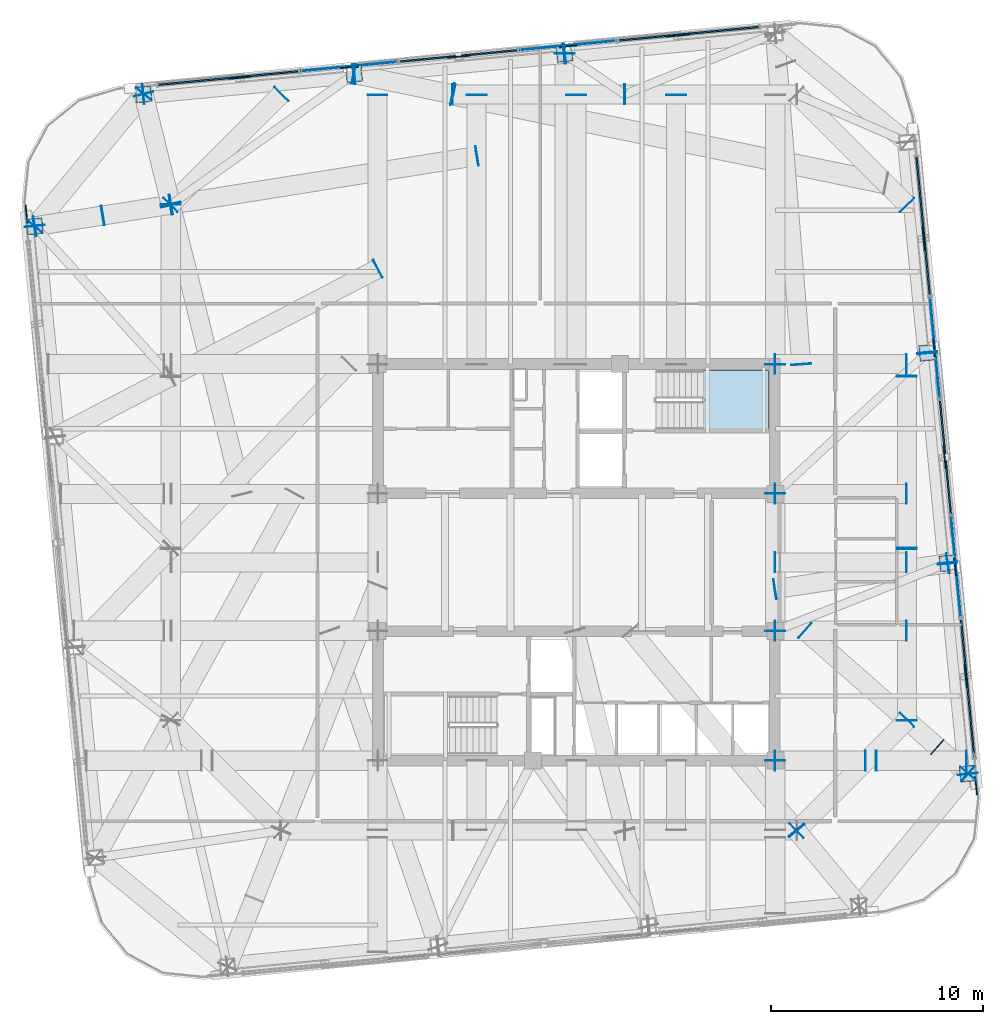
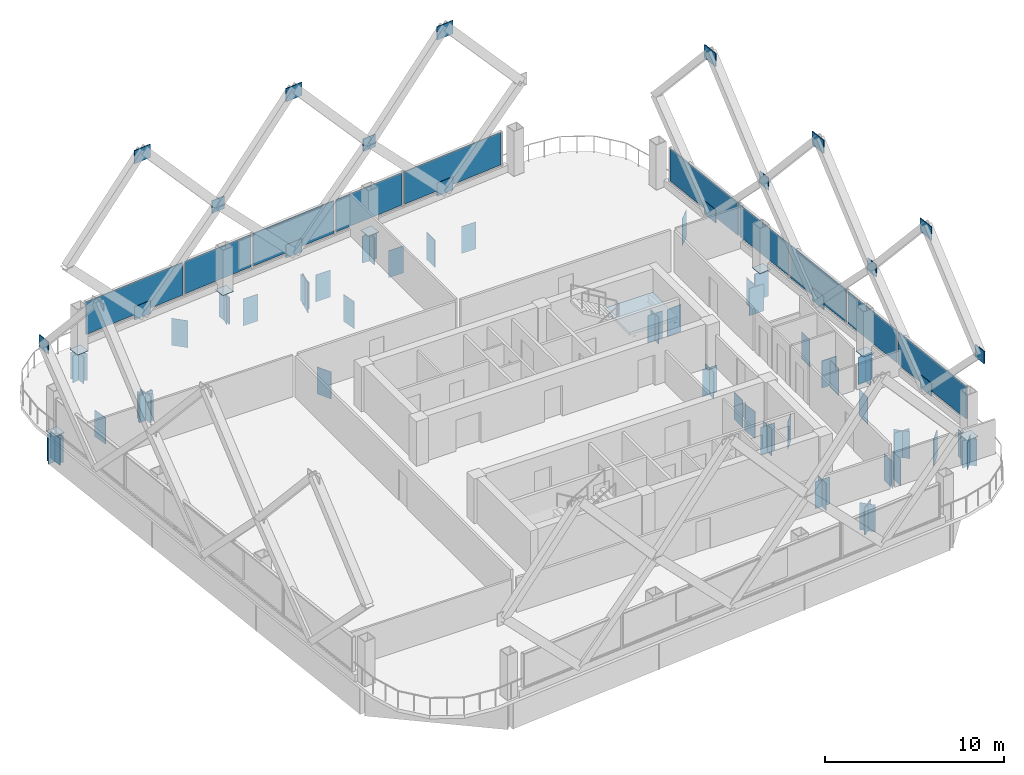
# One storey, part 31 of 37: 105 plates, 1 slab, 11 elements without a shape of their own.
"""IFC4 building model written with IfcOpenShell, lengths in metres."""

from ifc_helpers import new_model, si_unit, direction, frame, origin, origin_2d, place, context, subcontext, project, spatial, polyline, rectangle, outline, extrude, material, layer, layer_set, type_object, element, aggregate, save


model = new_model("IFC4")

# Units and contexts
model_context = context("Model", 3, precision=1e-05, world=origin(), true_north=direction((0.0, 1.0)))
body_context = subcontext(model_context, "Body", "Model", "MODEL_VIEW")
ifc_project = project(units=[si_unit("LENGTHUNIT", "METRE"), si_unit("AREAUNIT", "SQUARE_METRE"), si_unit("VOLUMEUNIT", "CUBIC_METRE"), si_unit("PLANEANGLEUNIT", "RADIAN"), si_unit("MASSUNIT", "GRAM", prefix="KILO")], contexts=[model_context])

# Site, building, storey
site_placement = place(None, origin())
site = spatial("IfcSite", under=ifc_project, at=site_placement, CompositionType="ELEMENT")
building_placement = place(site_placement, origin())
building = spatial("IfcBuilding", under=site, at=building_placement, Name="Qhalaya Broadcast Tower", CompositionType="ELEMENT")
storey_placement = place(building_placement, frame((0.0, 0.0, 156.14990234375)))
storey = spatial("IfcBuildingStorey", under=building, at=storey_placement, Name="L45", CompositionType="ELEMENT", Elevation=156.14990234375)

# Plates
ifc_material_1 = material(Name="Structural Steel ASTM A572 Grade 50", Category="steel")
ifc_layer_1 = layer(ifc_material_1, 0.054931640625, Name="Structural Steel ASTM A572 Grade 50")
ifc_layer_set_1 = layer_set([ifc_layer_1], Name="Structural Steel ASTM A572 Grade 50")
plate_type_1 = type_object("IfcPlateType", Name="Exoskeleton Diamond Node Gusset Plate NP-01", PredefinedType="USERDEFINED", material=ifc_layer_set_1)
for number, where, z_axis, x_axis, name in (
    (1, (18.346923828125, -4.76708984375, 0.210205078125), (0.0, 0.0, 1.0), (-0.09584575252, 0.995396198367, 0.0), "Exoskeleton Diamond Node B4-E1-BOT"),
    (2, (18.346923828125, -4.76708984375, 10.85009765625), (0.0, 0.0, 1.0), (-0.09584575252, 0.995396198367, 0.0), "Exoskeleton Diamond Node B4-E1-TOP"),
):
    element("IfcPlate", number, at=place(storey_placement, frame(where, z_axis=z_axis, x_axis=x_axis)), inside=storey, type_object=plate_type_1, Name=name, ObjectType="GUSSET_PLATE", PredefinedType="USERDEFINED", context=body_context, shape_type="SweptSolid", body=[
        extrude(rectangle(XDim=1.10009765625, YDim=0.054931640625, at=origin_2d()), origin(), (0.0, 0.0, 1.0), 0.89990234375),
    ])
plate_1_placement = place(storey_placement, frame((18.84375, -9.926513671875, 5.31494140625), z_axis=(0.0, 0.0, 1.0), x_axis=(-0.09584575252, 0.995396198367, 0.0)))
element("IfcPlate", 3, at=plate_1_placement, inside=storey, type_object=plate_type_1, Name="Exoskeleton Diamond Node B4-E1-MDL", ObjectType="GUSSET_PLATE", PredefinedType="USERDEFINED", context=body_context, shape_type="SweptSolid", body=[
    extrude(rectangle(XDim=0.85009765625, YDim=0.054931640625, at=origin_2d()), origin(), (0.0, 0.0, 1.0), 0.85009765625),
])
for number, where, z_axis, x_axis, name in (
    (4, (17.353515625, 5.5517578125, 0.210205078125), (0.0, 0.0, 1.0), (-0.09584575252, 0.995396198367, 0.0), "Exoskeleton Diamond Node B4-E2-BOT"),
    (5, (17.353515625, 5.5517578125, 10.85009765625), (0.0, 0.0, 1.0), (-0.09584575252, 0.995396198367, 0.0), "Exoskeleton Diamond Node B4-E2-TOP"),
):
    element("IfcPlate", number, at=place(storey_placement, frame(where, z_axis=z_axis, x_axis=x_axis)), inside=storey, type_object=plate_type_1, Name=name, ObjectType="GUSSET_PLATE", PredefinedType="USERDEFINED", context=body_context, shape_type="SweptSolid", body=[
        extrude(rectangle(XDim=1.10009765625, YDim=0.054931640625, at=origin_2d()), origin(), (0.0, 0.0, 1.0), 0.89990234375),
    ])
plate_2_placement = place(storey_placement, frame((17.85009765625, 0.392333984375, 5.31494140625), z_axis=(0.0, 0.0, 1.0), x_axis=(-0.09584575252, 0.995396198367, 0.0)))
element("IfcPlate", 6, at=plate_2_placement, inside=storey, type_object=plate_type_1, Name="Exoskeleton Diamond Node B4-E2-MDL", ObjectType="GUSSET_PLATE", PredefinedType="USERDEFINED", context=body_context, shape_type="SweptSolid", body=[
    extrude(rectangle(XDim=0.85009765625, YDim=0.054931640625, at=origin_2d()), origin(), (0.0, 0.0, 1.0), 0.85009765625),
])
for number, where, z_axis, x_axis, name in (
    (7, (16.35986328125, 15.87060546875, 0.210205078125), (0.0, 0.0, 1.0), (-0.09584575252, 0.995396198367, 0.0), "Exoskeleton Diamond Node B4-E3-BOT"),
    (8, (16.35986328125, 15.87060546875, 10.85009765625), (0.0, 0.0, 1.0), (-0.09584575252, 0.995396198367, 0.0), "Exoskeleton Diamond Node B4-E3-TOP"),
):
    element("IfcPlate", number, at=place(storey_placement, frame(where, z_axis=z_axis, x_axis=x_axis)), inside=storey, type_object=plate_type_1, Name=name, ObjectType="GUSSET_PLATE", PredefinedType="USERDEFINED", context=body_context, shape_type="SweptSolid", body=[
        extrude(rectangle(XDim=1.10009765625, YDim=0.054931640625, at=origin_2d()), origin(), (0.0, 0.0, 1.0), 0.89990234375),
    ])
plate_3_placement = place(storey_placement, frame((16.856689453125, 10.711181640625, 5.31494140625), z_axis=(0.0, 0.0, 1.0), x_axis=(-0.09584575252, 0.995396198367, 0.0)))
element("IfcPlate", 9, at=plate_3_placement, inside=storey, type_object=plate_type_1, Name="Exoskeleton Diamond Node B4-E3-MDL", ObjectType="GUSSET_PLATE", PredefinedType="USERDEFINED", context=body_context, shape_type="SweptSolid", body=[
    extrude(rectangle(XDim=0.85009765625, YDim=0.054931640625, at=origin_2d()), origin(), (0.0, 0.0, 1.0), 0.85009765625),
])
for number, where, z_axis, x_axis, name in (
    (10, (4.76708984375, 25.427001953125, 0.210205078125), (0.0, 0.0, 1.0), (0.995396198367, 0.09584575252, 0.0), "Exoskeleton Diamond Node B4-N1-BOT"),
    (11, (4.76708984375, 25.427001953125, 10.85009765625), (0.0, 0.0, 1.0), (0.995396198367, 0.09584575252, 0.0), "Exoskeleton Diamond Node B4-N1-TOP"),
    (12, (-5.5517578125, 24.433349609375, 0.210205078125), (0.0, 0.0, 1.0), (0.995396198367, 0.09584575252, 0.0), "Exoskeleton Diamond Node B4-N2-BOT"),
    (13, (-5.5517578125, 24.433349609375, 10.85009765625), (0.0, 0.0, 1.0), (0.995396198367, 0.09584575252, 0.0), "Exoskeleton Diamond Node B4-N2-TOP"),
):
    element("IfcPlate", number, at=place(storey_placement, frame(where, z_axis=z_axis, x_axis=x_axis)), inside=storey, type_object=plate_type_1, Name=name, ObjectType="GUSSET_PLATE", PredefinedType="USERDEFINED", context=body_context, shape_type="SweptSolid", body=[
        extrude(rectangle(XDim=1.10009765625, YDim=0.054931640625, at=origin_2d()), origin(), (0.0, 0.0, 1.0), 0.89990234375),
    ])
plate_4_placement = place(storey_placement, frame((-0.392333984375, 24.93017578125, 5.31494140625), z_axis=(0.0, 0.0, 1.0), x_axis=(0.995396198367, 0.09584575252, 0.0)))
element("IfcPlate", 14, at=plate_4_placement, inside=storey, type_object=plate_type_1, Name="Exoskeleton Diamond Node B4-N2-MDL", ObjectType="GUSSET_PLATE", PredefinedType="USERDEFINED", context=body_context, shape_type="SweptSolid", body=[
    extrude(rectangle(XDim=0.85009765625, YDim=0.054931640625, at=origin_2d()), origin(), (0.0, 0.0, 1.0), 0.85009765625),
])
for number, where, z_axis, x_axis, name in (
    (15, (-15.87060546875, 23.439697265625, 0.210205078125), (0.0, 0.0, 1.0), (0.995396198367, 0.09584575252, 0.0), "Exoskeleton Diamond Node B4-N3-BOT"),
    (16, (-15.87060546875, 23.439697265625, 10.85009765625), (0.0, 0.0, 1.0), (0.995396198367, 0.09584575252, 0.0), "Exoskeleton Diamond Node B4-N3-TOP"),
):
    element("IfcPlate", number, at=place(storey_placement, frame(where, z_axis=z_axis, x_axis=x_axis)), inside=storey, type_object=plate_type_1, Name=name, ObjectType="GUSSET_PLATE", PredefinedType="USERDEFINED", context=body_context, shape_type="SweptSolid", body=[
        extrude(rectangle(XDim=1.10009765625, YDim=0.054931640625, at=origin_2d()), origin(), (0.0, 0.0, 1.0), 0.89990234375),
    ])
for number, where, z_axis, x_axis, name in (
    (17, (-10.711181640625, 23.9365234375, 5.31494140625), (0.0, 0.0, 1.0), (0.995396198367, 0.09584575252, 0.0), "Exoskeleton Diamond Node B4-N3-MDL"),
    (18, (-25.923828125, 17.006591796875, 5.31494140625), (0.0, 0.0, 1.0), (-0.09584575252, 0.995396198367, 0.0), "Exoskeleton Diamond Node B4-W1-MDL"),
):
    element("IfcPlate", number, at=place(storey_placement, frame(where, z_axis=z_axis, x_axis=x_axis)), inside=storey, type_object=plate_type_1, Name=name, ObjectType="GUSSET_PLATE", PredefinedType="USERDEFINED", context=body_context, shape_type="SweptSolid", body=[
        extrude(rectangle(XDim=0.85009765625, YDim=0.054931640625, at=origin_2d()), origin(), (0.0, 0.0, 1.0), 0.85009765625),
    ])
ifc_layer_2 = layer(ifc_material_1, 0.4599609375, Name="Structural Steel ASTM A572 Grade 50")
ifc_layer_set_2 = layer_set([ifc_layer_2], Name="Structural Steel ASTM A572 Grade 50")
plate_type_2 = type_object("IfcPlateType", Name="Hollow Box Member End Cap Plate CP-01", PredefinedType="USERDEFINED", material=ifc_layer_set_2)
for number, where, z_axis, x_axis, name in (
    (19, (18.4580078125, -9.349609375, -2.0400390625), (0.0, 0.0, 1.0), (-0.771624583388, 0.636078220278, 0.0), "L45 Hollow Girder End Cap L45-SPR-04-B"),
    (20, (18.44921875, -9.3779296875, -2.0400390625), (0.0, 0.0, 1.0), (-0.995396198367, -0.09584575252, 0.0), "L45 Hollow Girder End Cap L45-SPR-05-A"),
    (21, (17.4912109375, 0.57470703125, -2.0400390625), (0.0, 0.0, 1.0), (-0.995396198367, -0.09584575252, 0.0), "L45 Hollow Girder End Cap L45-SPR-05-B"),
    (22, (17.494140625, 0.54296875, -2.0400390625), (0.0, 0.0, 1.0), (-0.995396198367, -0.09584575252, 0.0), "L45 Hollow Girder End Cap L45-SPR-06-A"),
    (23, (16.535888671875, 10.49560546875, -2.0400390625), (0.0, 0.0, 1.0), (-0.995396198367, -0.09584575252, 0.0), "L45 Hollow Girder End Cap L45-SPR-06-B"),
    (24, (16.538818359375, 10.463623046875, -2.0400390625), (0.0, 0.0, 1.0), (-0.995396198367, -0.09584575252, 0.0), "L45 Hollow Girder End Cap L45-SPR-07-A"),
    (25, (-0.57470703125, 24.571044921875, -2.0400390625), (0.0, 0.0, 1.0), (0.09584575252, -0.995396198367, 0.0), "L45 Hollow Girder End Cap L45-SPR-09-B"),
    (26, (-0.54296875, 24.57421875, -2.0400390625), (0.0, 0.0, 1.0), (0.09584575252, -0.995396198367, 0.0), "L45 Hollow Girder End Cap L45-SPR-10-A"),
    (27, (-10.49560546875, 23.61572265625, -2.0400390625), (0.0, 0.0, 1.0), (0.09584575252, -0.995396198367, 0.0), "L45 Hollow Girder End Cap L45-SPR-10-B"),
    (28, (-10.463623046875, 23.618896484375, -2.0400390625), (0.0, 0.0, 1.0), (0.09584575252, -0.995396198367, 0.0), "L45 Hollow Girder End Cap L45-SPR-11-A"),
    (29, (-20.416259765625, 22.660400390625, -2.0400390625), (0.0, 0.0, 1.0), (0.09584575252, -0.995396198367, 0.0), "L45 Hollow Girder End Cap L45-SPR-11-B"),
    (30, (-20.39013671875, 22.67431640625, -2.0400390625), (0.0, 0.0, 1.0), (0.771624583388, -0.636078220278, 0.0), "L45 Hollow Girder End Cap L45-SPR-12-A"),
    (31, (-25.5380859375, 16.4296875, -2.0400390625), (0.0, 0.0, 1.0), (0.771624583388, -0.636078220278, 0.0), "L45 Hollow Girder End Cap L45-SPR-12-B"),
    (32, (-25.529296875, 16.4580078125, -2.0400390625), (0.0, 0.0, 1.0), (0.995396198367, 0.09584575252, 0.0), "L45 Hollow Girder End Cap L45-SPR-13-A"),
    (33, (10.36865234375, -12.05126953125, -2.0400390625), (0.0, 0.0, 1.0), (-0.707106781187, 0.707106781187, 0.0), "L45 Hollow Girder End Cap L45-TGL-04-A"),
    (34, (15.59130859375, -6.82861328125, -2.0400390625), (0.0, 0.0, 1.0), (-0.707106781187, 0.707106781187, 0.0), "L45 Hollow Girder End Cap L45-TGL-04-B"),
    (35, (15.580078125, -6.85595703125, -2.0400390625), (0.0, 0.0, 1.0), (-1.0, 0.0, 0.0), "L45 Hollow Girder End Cap L45-TGL-05-A"),
    (36, (15.580078125, 1.27587890625, -2.0400390625), (0.0, 0.0, 1.0), (-1.0, 0.0, 0.0), "L45 Hollow Girder End Cap L45-TGL-05-B"),
    (37, (15.580078125, 1.243896484375, -2.0400390625), (0.0, 0.0, 1.0), (-1.0, 0.0, 0.0), "L45 Hollow Girder End Cap L45-TGL-06-A"),
    (38, (15.580078125, 9.3759765625, -2.0400390625), (0.0, 0.0, 1.0), (-1.0, 0.0, 0.0), "L45 Hollow Girder End Cap L45-TGL-06-B"),
    (39, (15.59130859375, 17.44873046875, -2.0400390625), (0.0, 0.0, 1.0), (-0.707106781187, -0.707106781187, 0.0), "L45 Hollow Girder End Cap L45-TGL-08-A"),
    (40, (2.263916015625, 22.659912109375, -2.0400390625), (0.0, 0.0, 1.0), (0.0, -1.0, 0.0), "L45 Hollow Girder End Cap L45-TGL-09-B"),
    (41, (2.2958984375, 22.659912109375, -2.0400390625), (0.0, 0.0, 1.0), (0.0, -1.0, 0.0), "L45 Hollow Girder End Cap L45-TGL-10-A"),
    (42, (-5.8359375, 22.659912109375, -2.0400390625), (0.0, 0.0, 1.0), (0.0, -1.0, 0.0), "L45 Hollow Girder End Cap L45-TGL-10-B"),
    (43, (-13.90869140625, 22.67138671875, -2.0400390625), (0.0, 0.0, 1.0), (0.707106781187, -0.707106781187, 0.0), "L45 Hollow Girder End Cap L45-TGL-12-A"),
    (44, (-19.13134765625, 17.44873046875, -2.0400390625), (0.0, 0.0, 1.0), (0.707106781187, -0.707106781187, 0.0), "L45 Hollow Girder End Cap L45-TGL-12-B"),
    (45, (-19.1201171875, 17.47607421875, -2.0400390625), (0.0, 0.0, 1.0), (1.0, 0.0, 0.0), "L45 Hollow Girder End Cap L45-TGL-13-A"),
    (46, (-9.375, 22.635986328125, -2.0400390625), (0.0, 0.0, 1.0), (-1.0, 0.0, 0.0), "L45 Hollow Girder End Cap L45-TGINW-1-B"),
    (47, (9.375, 9.93408203125, -2.0400390625), (0.0, 0.0, 1.0), (-1.0, 0.0, 0.0), "L45 Hollow Girder End Cap L45-TGINE-1-A"),
    (48, (0.0, 22.635986328125, -2.0400390625), (0.0, 0.0, 1.0), (-1.0, 0.0, 0.0), "L45 Hollow Girder End Cap L45-TGIMN-1-B"),
    (49, (-4.699951171875, 22.635986328125, -2.0400390625), (0.0, 0.0, 1.0), (-1.0, 0.0, 0.0), "L45 Hollow Girder End Cap L45-TGIMNW-1-B"),
    (50, (4.699951171875, 22.635986328125, -2.0400390625), (0.0, 0.0, 1.0), (-1.0, 0.0, 0.0), "L45 Hollow Girder End Cap L45-TGIMNE-1-B"),
    (51, (9.35888671875, 0.60009765625, -2.0400390625), (0.0, 0.0, 1.0), (0.0, 1.0, 0.0), "L45 Hollow Girder End Cap L45-TGIYE-1-A"),
    (52, (15.555908203125, 0.60009765625, -2.0400390625), (0.0, 0.0, 1.0), (0.0, 1.0, 0.0), "L45 Hollow Girder End Cap L45-TGIYE-1-B"),
    (53, (9.375, -8.73388671875, -2.0400390625), (0.0, 0.0, 1.0), (-1.0, 0.0, 0.0), "L45 Hollow Girder End Cap L45-TGISE-1-B"),
    (54, (9.375, -2.64111328125, -2.0400390625), (0.0, 0.0, 1.0), (-1.0, 0.0, 0.0), "L45 Hollow Girder End Cap L45-TGIME-1-A"),
    (55, (9.375, 3.841064453125, -2.0400390625), (0.0, 0.0, 1.0), (-1.0, 0.0, 0.0), "L45 Hollow Girder End Cap L45-TGIME-1-B"),
    (56, (9.35888671875, -8.75, -2.0400390625), (0.0, 0.0, 1.0), (0.0, 1.0, 0.0), "L45 Hollow Girder End Cap L45-TGIY1E-1-A"),
    (57, (13.62939453125, -8.75, -2.0400390625), (0.0, 0.0, 1.0), (0.0, 1.0, 0.0), "L45 Hollow Girder End Cap L45-TGIY1E-1-B"),
    (58, (9.35888671875, -2.625, -2.0400390625), (0.0, 0.0, 1.0), (0.0, 1.0, 0.0), "L45 Hollow Girder End Cap L45-TGIY2E-1-A"),
    (59, (15.555908203125, -2.625, -2.0400390625), (0.0, 0.0, 1.0), (0.0, 1.0, 0.0), "L45 Hollow Girder End Cap L45-TGIY2E-1-B"),
    (60, (9.35888671875, 3.824951171875, -2.0400390625), (0.0, 0.0, 1.0), (0.0, 1.0, 0.0), "L45 Hollow Girder End Cap L45-TGIY3E-1-A"),
    (61, (15.555908203125, 3.824951171875, -2.0400390625), (0.0, 0.0, 1.0), (0.0, 1.0, 0.0), "L45 Hollow Girder End Cap L45-TGIY3E-1-B"),
    (62, (9.35888671875, 9.949951171875, -2.0400390625), (0.0, 0.0, 1.0), (0.0, 1.0, 0.0), "L45 Hollow Girder End Cap L45-TGIY4E-1-A"),
    (63, (15.555908203125, 9.949951171875, -2.0400390625), (0.0, 0.0, 1.0), (0.0, 1.0, 0.0), "L45 Hollow Girder End Cap L45-TGIY4E-1-B"),
    (64, (10.39013671875, -12.05224609375, -2.0400390625), (0.0, 0.0, 1.0), (0.769421851781, 0.638740960015, 0.0), "L45 Hollow Girder End Cap L45-TGA-04-B"),
    (65, (10.369873046875, -12.027587890625, -2.0400390625), (0.0, 0.0, 1.0), (0.769421851781, 0.638740960015, 0.0), "L45 Hollow Girder End Cap L45-TGC-04-A"),
    (66, (10.775146484375, -2.614501953125, -2.0400390625), (0.0, 0.0, 1.0), (0.660381832352, 0.750929980424, 0.0), "L45 Hollow Girder End Cap L45-TGA-05-A"),
    (67, (18.459716796875, -9.37255859375, -2.0400390625), (0.0, 0.0, 1.0), (0.660381832352, 0.750929980424, 0.0), "L45 Hollow Girder End Cap L45-TGA-05-B"),
):
    element("IfcPlate", number, at=place(storey_placement, frame(where, z_axis=z_axis, x_axis=x_axis)), inside=storey, type_object=plate_type_2, Name=name, ObjectType="COVER_PLATE", PredefinedType="USERDEFINED", context=body_context, shape_type="SweptSolid", body=[
        extrude(rectangle(XDim=0.93994140625, YDim=0.031982421875, at=origin_2d()), origin(), (0.0, 0.0, 1.0), 1.840087890625),
    ])
plate_5_placement = place(storey_placement, frame((18.44775390625, -9.362060546875, -2.02001953125), z_axis=(0.0, 0.0, 1.0), x_axis=(0.660381832352, 0.750929980424, 0.0)))
element("IfcPlate", 68, at=plate_5_placement, inside=storey, type_object=plate_type_2, Name="L45 Transfer Box End Cap 05", ObjectType="COVER_PLATE", PredefinedType="USERDEFINED", context=body_context, shape_type="SweptSolid", body=[
    extrude(rectangle(XDim=0.919921875, YDim=0.035888671875, at=origin_2d()), origin(), (0.0, 0.0, 1.0), 1.800048828125),
])
for number, where, z_axis, x_axis, name in (
    (69, (9.359130859375, -0.659912109375, -2.0400390625), (0.0, 0.0, 1.0), (-0.148189155054, 0.988959035716, 0.0), "L45 Hollow Girder End Cap L45-TGA-06-A"),
    (70, (17.50830078125, 0.561279296875, -2.0400390625), (0.0, 0.0, 1.0), (-0.148189155054, 0.988959035716, 0.0), "L45 Hollow Girder End Cap L45-TGA-06-B"),
    (71, (10.6005859375, 9.93408203125, -2.0400390625), (0.0, 0.0, 1.0), (-0.996859552373, -0.079189853156, 0.0), "L45 Hollow Girder End Cap L45-TGA-09-A"),
    (72, (-0.558837890625, 24.588623046875, -2.0400390625), (0.0, 0.0, 1.0), (-1.0, 0.0, 0.0), "L45 Hollow Girder End Cap L45-TGA-10-B"),
):
    element("IfcPlate", number, at=place(storey_placement, frame(where, z_axis=z_axis, x_axis=x_axis)), inside=storey, type_object=plate_type_2, Name=name, ObjectType="COVER_PLATE", PredefinedType="USERDEFINED", context=body_context, shape_type="SweptSolid", body=[
        extrude(rectangle(XDim=0.93994140625, YDim=0.031982421875, at=origin_2d()), origin(), (0.0, 0.0, 1.0), 1.840087890625),
    ])
plate_6_placement = place(storey_placement, frame((-5.835693359375, 22.6630859375, -2.239990234375), z_axis=(0.0, 0.0, 1.0), x_axis=(-0.201248886216, -0.979540139962, 0.0)))
element("IfcPlate", 73, at=plate_6_placement, inside=storey, type_object=plate_type_2, Name="L45 Hollow Girder End Cap L45-TGA-11-B", ObjectType="COVER_PLATE", PredefinedType="USERDEFINED", context=body_context, shape_type="SweptSolid", body=[
    extrude(rectangle(XDim=1.0400390625, YDim=0.031982421875, at=origin_2d()), origin(), (0.0, 0.0, 1.0), 2.0400390625),
])
for number, where, z_axis, x_axis, name in (
    (74, (-5.80419921875, 22.65673828125, -2.0400390625), (0.0, 0.0, 1.0), (-0.201248886216, -0.979540139962, 0.0), "L45 Hollow Girder End Cap L45-TGC-11-A"),
    (75, (-10.495361328125, 23.62060546875, -2.0400390625), (0.0, 0.0, 1.0), (-0.201248886216, -0.979540139962, 0.0), "L45 Hollow Girder End Cap L45-TGC-11-B"),
    (76, (-19.123779296875, 17.4755859375, -2.0400390625), (0.0, 0.0, 1.0), (-0.971017594513, -0.239008014815, 0.0), "L45 Hollow Girder End Cap L45-TGA-12-B"),
    (77, (-19.1162109375, 17.444580078125, -2.0400390625), (0.0, 0.0, 1.0), (-0.971017594513, -0.239008014815, 0.0), "L45 Hollow Girder End Cap L45-TGC-12-A"),
    (78, (-20.404296875, 22.677490234375, -2.0400390625), (0.0, 0.0, 1.0), (-0.971017594513, -0.239008014815, 0.0), "L45 Hollow Girder End Cap L45-TGC-12-B"),
    (79, (-4.68408203125, 19.75341796875, -2.0400390625), (0.0, 0.0, 1.0), (0.156899884819, -0.987614512927, 0.0), "L45 Hollow Girder End Cap L45-TGA-13-A"),
    (80, (-19.1357421875, 17.45751953125, -2.0400390625), (0.0, 0.0, 1.0), (0.156899884819, -0.987614512927, 0.0), "L45 Hollow Girder End Cap L45-TGA-13-B"),
    (81, (-19.104248046875, 17.46240234375, -2.0400390625), (0.0, 0.0, 1.0), (0.156899884819, -0.987614512927, 0.0), "L45 Hollow Girder End Cap L45-TGC-13-A"),
    (82, (-25.543701171875, 16.439453125, -2.0400390625), (0.0, 0.0, 1.0), (0.156899884819, -0.987614512927, 0.0), "L45 Hollow Girder End Cap L45-TGC-13-B"),
):
    element("IfcPlate", number, at=place(storey_placement, frame(where, z_axis=z_axis, x_axis=x_axis)), inside=storey, type_object=plate_type_2, Name=name, ObjectType="COVER_PLATE", PredefinedType="USERDEFINED", context=body_context, shape_type="SweptSolid", body=[
        extrude(rectangle(XDim=0.93994140625, YDim=0.031982421875, at=origin_2d()), origin(), (0.0, 0.0, 1.0), 1.840087890625),
    ])
plate_7_placement = place(storey_placement, frame((-25.52783203125, 16.44189453125, -2.02001953125), z_axis=(0.0, 0.0, 1.0), x_axis=(0.156899884819, -0.987614512927, 0.0)))
element("IfcPlate", 83, at=plate_7_placement, inside=storey, type_object=plate_type_2, Name="L45 Transfer Box End Cap 13", ObjectType="COVER_PLATE", PredefinedType="USERDEFINED", context=body_context, shape_type="SweptSolid", body=[
    extrude(rectangle(XDim=0.919921875, YDim=0.035888671875, at=origin_2d()), origin(), (0.0, 0.0, 1.0), 1.800048828125),
])
for number, where, z_axis, x_axis, name in (
    (84, (-9.36083984375, 14.44091796875, -2.0400390625), (0.0, 0.0, 1.0), (0.461795056381, -0.886986654861, 0.0), "L45 Hollow Girder End Cap L45-TGA-14-A"),
    (85, (14.134765625, -8.75, -2.0400390625), (0.0, 0.0, 1.0), (0.0, 1.0, 0.0), "L45 Hollow Girder End Cap L45-PGYE1-OV1-A"),
    (86, (18.384765625, -8.75, -2.0400390625), (0.0, 0.0, 1.0), (0.0, 1.0, 0.0), "L45 Hollow Girder End Cap L45-PGYE1-OV1-B"),
):
    element("IfcPlate", number, at=place(storey_placement, frame(where, z_axis=z_axis, x_axis=x_axis)), inside=storey, type_object=plate_type_2, Name=name, ObjectType="COVER_PLATE", PredefinedType="USERDEFINED", context=body_context, shape_type="SweptSolid", body=[
        extrude(rectangle(XDim=0.93994140625, YDim=0.031982421875, at=origin_2d()), origin(), (0.0, 0.0, 1.0), 1.840087890625),
    ])
for number, where, z_axis, x_axis, name in (
    (87, (18.44775390625, -9.362060546875, -0.03173828125), (0.0, 0.0, 1.0), (-0.09584575252, 0.995396198367, 0.0), "L45 Hollow Box Column Base Cap Plate COL-EX05"),
    (88, (17.49267578125, 0.558837890625, -0.03173828125), (0.0, 0.0, 1.0), (-0.09584575252, 0.995396198367, 0.0), "L45 Hollow Box Column Base Cap Plate COL-EX06"),
    (89, (16.537353515625, 10.4794921875, -0.03173828125), (0.0, 0.0, 1.0), (-0.09584575252, 0.995396198367, 0.0), "L45 Hollow Box Column Base Cap Plate COL-EX07"),
    (90, (-0.558837890625, 24.572509765625, -0.03173828125), (0.0, 0.0, 1.0), (0.995396198367, 0.09584575252, 0.0), "L45 Hollow Box Column Base Cap Plate COL-EX10"),
    (91, (-10.4794921875, 23.6171875, -0.03173828125), (0.0, 0.0, 1.0), (0.995396198367, 0.09584575252, 0.0), "L45 Hollow Box Column Base Cap Plate COL-EX11"),
    (92, (-20.400390625, 22.662109375, -0.03173828125), (0.0, 0.0, 1.0), (0.995396198367, 0.09584575252, 0.0), "L45 Hollow Box Column Base Cap Plate COL-EX12"),
    (93, (-25.52783203125, 16.44189453125, -0.03173828125), (0.0, 0.0, 1.0), (-0.09584575252, 0.995396198367, 0.0), "L45 Hollow Box Column Base Cap Plate COL-EX13"),
):
    element("IfcPlate", number, at=place(storey_placement, frame(where, z_axis=z_axis, x_axis=x_axis)), inside=storey, type_object=plate_type_2, Name=name, ObjectType="COVER_PLATE", PredefinedType="USERDEFINED", context=body_context, shape_type="SweptSolid", body=[
        extrude(rectangle(XDim=0.739990234375, YDim=0.739990234375, at=origin_2d()), origin(), (0.0, 0.0, 1.0), 0.031982421875),
    ])

# Curtain wall, plate
ifc_material_2 = material(Name="Fired Architectural Terracotta", Category="masonry")
ifc_layer_3 = layer(ifc_material_2, 0.219970703125, Name="Fired Architectural Terracotta")
ifc_layer_set_3 = layer_set([ifc_layer_3], Name="Fired Architectural Terracotta")
curtain_wall_type_1 = type_object("IfcCurtainWallType", Name="Block-Cap Unitised Terracotta Spandrel Wall CW-07", PredefinedType="NOTDEFINED", material=ifc_layer_set_3)
curtain_wall_1_placement = place(storey_placement, origin())
curtain_wall_1 = element("IfcCurtainWall", 94, at=curtain_wall_1_placement, inside=storey, type_object=curtain_wall_type_1, Name="L45 Unitised Curtain Wall L45-CW-E1", PredefinedType="NOTDEFINED")
ifc_layer_4 = layer(ifc_material_2, 0.080078125, Name="Fired Architectural Terracotta")
ifc_layer_set_4 = layer_set([ifc_layer_4], Name="Fired Architectural Terracotta")
plate_type_3 = type_object("IfcPlateType", Name="Insulated Terracotta Spandrel Panel TSP-07", PredefinedType="CURTAIN_PANEL", material=ifc_layer_set_4)
plate_8_placement = place(storey_placement, frame((18.443359375, -5.350830078125, 0.55517578125), z_axis=(0.0, 0.0, 1.0), x_axis=(-0.095842362816, 0.995396524753, 0.0)))
plate_8 = element("IfcPlate", 95, at=plate_8_placement, type_object=plate_type_3, Name="CW-07 panel 1.1", PredefinedType="CURTAIN_PANEL", context=body_context, shape_type="SweptSolid", body=[
    extrude(rectangle(XDim=6.535888671875, YDim=0.080078125, at=origin_2d()), origin(), (0.0, 0.0, 1.0), 2.199951171875),
])
aggregate(curtain_wall_1, [plate_8])

curtain_wall_2_placement = place(storey_placement, origin())
curtain_wall_2 = element("IfcCurtainWall", 96, at=curtain_wall_2_placement, inside=storey, type_object=curtain_wall_type_1, Name="L45 Unitised Curtain Wall L45-CW-E3", PredefinedType="NOTDEFINED")
plate_9_placement = place(storey_placement, frame((17.393310546875, 5.5556640625, 0.55517578125), z_axis=(0.0, 0.0, 1.0), x_axis=(-0.095858099514, 0.99539500941, 0.0)))
plate_9 = element("IfcPlate", 97, at=plate_9_placement, type_object=plate_type_3, Name="CW-07 panel 1.1", PredefinedType="CURTAIN_PANEL", context=body_context, shape_type="SweptSolid", body=[
    extrude(rectangle(XDim=5.35595703125, YDim=0.080078125, at=origin_2d()), origin(), (0.0, 0.0, 1.0), 2.199951171875),
])
aggregate(curtain_wall_2, [plate_9])

curtain_wall_3_placement = place(storey_placement, origin())
curtain_wall_3 = element("IfcCurtainWall", 98, at=curtain_wall_3_placement, inside=storey, type_object=curtain_wall_type_1, Name="L45 Unitised Curtain Wall L45-CW-E5", PredefinedType="NOTDEFINED")
plate_10_placement = place(storey_placement, frame((16.343017578125, 16.462158203125, 0.55517578125), z_axis=(0.0, 0.0, 1.0), x_axis=(-0.095842362816, 0.995396524753, 0.0)))
plate_10 = element("IfcPlate", 99, at=plate_10_placement, type_object=plate_type_3, Name="CW-07 panel 1.1", PredefinedType="CURTAIN_PANEL", context=body_context, shape_type="SweptSolid", body=[
    extrude(rectangle(XDim=6.535888671875, YDim=0.080078125, at=origin_2d()), origin(), (0.0, 0.0, 1.0), 2.199951171875),
])
aggregate(curtain_wall_3, [plate_10])

curtain_wall_4_placement = place(storey_placement, origin())
curtain_wall_4 = element("IfcCurtainWall", 100, at=curtain_wall_4_placement, inside=storey, type_object=curtain_wall_type_1, Name="L45 Unitised Curtain Wall L45-CW-N1", PredefinedType="NOTDEFINED")
plate_11_placement = place(storey_placement, frame((5.30419921875, 25.518798828125, 0.55517578125), z_axis=(0.0, 0.0, 1.0), x_axis=(-0.99539669829, -0.095840560477, 0.0)))
plate_11 = element("IfcPlate", 101, at=plate_11_placement, type_object=plate_type_3, Name="CW-07 panel 1.1", PredefinedType="CURTAIN_PANEL", context=body_context, shape_type="SweptSolid", body=[
    extrude(rectangle(XDim=6.630126953125, YDim=0.080078125, at=origin_2d()), origin(), (0.0, 0.0, 1.0), 2.199951171875),
])
aggregate(curtain_wall_4, [plate_11])

curtain_wall_5_placement = place(storey_placement, origin())
curtain_wall_5 = element("IfcCurtainWall", 102, at=curtain_wall_5_placement, inside=storey, type_object=curtain_wall_type_1, Name="L45 Unitised Curtain Wall L45-CW-N3", PredefinedType="NOTDEFINED")
plate_12_placement = place(storey_placement, frame((-5.5556640625, 24.47314453125, 0.55517578125), z_axis=(0.0, 0.0, 1.0), x_axis=(-0.995395435525, -0.095853674613, 0.0)))
plate_12 = element("IfcPlate", 103, at=plate_12_placement, type_object=plate_type_3, Name="CW-07 panel 1.1", PredefinedType="CURTAIN_PANEL", context=body_context, shape_type="SweptSolid", body=[
    extrude(rectangle(XDim=5.5419921875, YDim=0.080078125, at=origin_2d()), origin(), (0.0, 0.0, 1.0), 2.199951171875),
])
aggregate(curtain_wall_5, [plate_12])

curtain_wall_6_placement = place(storey_placement, origin())
curtain_wall_6 = element("IfcCurtainWall", 104, at=curtain_wall_6_placement, inside=storey, type_object=curtain_wall_type_1, Name="L45 Unitised Curtain Wall L45-CW-N5", PredefinedType="NOTDEFINED")
plate_13_placement = place(storey_placement, frame((-16.415283203125, 23.427490234375, 0.55517578125), z_axis=(0.0, 0.0, 1.0), x_axis=(-0.99539669829, -0.095840560477, 0.0)))
plate_13 = element("IfcPlate", 105, at=plate_13_placement, type_object=plate_type_3, Name="CW-07 panel 1.1", PredefinedType="CURTAIN_PANEL", context=body_context, shape_type="SweptSolid", body=[
    extrude(rectangle(XDim=6.630126953125, YDim=0.080078125, at=origin_2d()), origin(), (0.0, 0.0, 1.0), 2.199951171875),
])
aggregate(curtain_wall_6, [plate_13])

ifc_material_3 = material(Name="Solar-Control Low-E Triple Glazing", Category="glass")
ifc_layer_5 = layer(ifc_material_3, 0.219970703125, Name="Solar-Control Low-E Triple Glazing")
ifc_layer_set_5 = layer_set([ifc_layer_5], Name="Solar-Control Low-E Triple Glazing")
curtain_wall_type_2 = type_object("IfcCurtainWallType", Name="Even-Block 4-Storey Double-Module Curtain Wall CW-03", PredefinedType="NOTDEFINED", material=ifc_layer_set_5)
curtain_wall_7_placement = place(storey_placement, origin())
curtain_wall_7 = element("IfcCurtainWall", 106, at=curtain_wall_7_placement, inside=storey, type_object=curtain_wall_type_2, Name="L45 Unitised Curtain Wall L45-CW-E2", PredefinedType="NOTDEFINED")
ifc_layer_6 = layer(ifc_material_3, 0.035888671875, Name="Solar-Control Low-E Triple Glazing")
ifc_layer_set_6 = layer_set([ifc_layer_6], Name="Solar-Control Low-E Triple Glazing")
plate_type_4 = type_object("IfcPlateType", Name="Solar-Control Curtain Glazing Panel GLP-03", PredefinedType="CURTAIN_PANEL", material=ifc_layer_set_6)
plate_14_placement = place(storey_placement, frame((17.89013671875, 0.39599609375, 0.55517578125), z_axis=(0.0, 0.0, 1.0), x_axis=(-0.095844898762, 0.995396280574, 0.0)))
plate_14 = element("IfcPlate", 107, at=plate_14_placement, type_object=plate_type_4, Name="CW-03 panel 1.1", PredefinedType="CURTAIN_PANEL", context=body_context, shape_type="SweptSolid", body=[
    extrude(rectangle(XDim=4.7109375, YDim=0.035888671875, at=origin_2d()), origin(), (0.0, 0.0, 1.0), 2.199951171875),
])
aggregate(curtain_wall_7, [plate_14])

curtain_wall_8_placement = place(storey_placement, origin())
curtain_wall_8 = element("IfcCurtainWall", 108, at=curtain_wall_8_placement, inside=storey, type_object=curtain_wall_type_2, Name="L45 Unitised Curtain Wall L45-CW-E4", PredefinedType="NOTDEFINED")
plate_15_placement = place(storey_placement, frame((16.896240234375, 10.71533203125, 0.55517578125), z_axis=(0.0, 0.0, 1.0), x_axis=(-0.095844898762, 0.995396280574, 0.0)))
plate_15 = element("IfcPlate", 109, at=plate_15_placement, type_object=plate_type_4, Name="CW-03 panel 1.1", PredefinedType="CURTAIN_PANEL", context=body_context, shape_type="SweptSolid", body=[
    extrude(rectangle(XDim=4.7109375, YDim=0.035888671875, at=origin_2d()), origin(), (0.0, 0.0, 1.0), 2.199951171875),
])
aggregate(curtain_wall_8, [plate_15])

curtain_wall_9_placement = place(storey_placement, origin())
curtain_wall_9 = element("IfcCurtainWall", 110, at=curtain_wall_9_placement, inside=storey, type_object=curtain_wall_type_2, Name="L45 Unitised Curtain Wall L45-CW-N2", PredefinedType="NOTDEFINED")
plate_16_placement = place(storey_placement, frame((-0.396484375, 24.969970703125, 0.55517578125), z_axis=(0.0, 0.0, 1.0), x_axis=(-0.995395888038, -0.095848975357, 0.0)))
plate_16 = element("IfcPlate", 111, at=plate_16_placement, type_object=plate_type_4, Name="CW-03 panel 1.1", PredefinedType="CURTAIN_PANEL", context=body_context, shape_type="SweptSolid", body=[
    extrude(rectangle(XDim=4.52392578125, YDim=0.035888671875, at=origin_2d()), origin(), (0.0, 0.0, 1.0), 2.199951171875),
])
aggregate(curtain_wall_9, [plate_16])

curtain_wall_10_placement = place(storey_placement, origin())
curtain_wall_10 = element("IfcCurtainWall", 112, at=curtain_wall_10_placement, inside=storey, type_object=curtain_wall_type_2, Name="L45 Unitised Curtain Wall L45-CW-N4", PredefinedType="NOTDEFINED")
plate_17_placement = place(storey_placement, frame((-10.71484375, 23.976318359375, 0.55517578125), z_axis=(0.0, 0.0, 1.0), x_axis=(-0.995395691478, -0.095851016624, 0.0)))
plate_17 = element("IfcPlate", 113, at=plate_17_placement, type_object=plate_type_4, Name="CW-03 panel 1.1", PredefinedType="CURTAIN_PANEL", context=body_context, shape_type="SweptSolid", body=[
    extrude(rectangle(XDim=4.52392578125, YDim=0.035888671875, at=origin_2d()), origin(), (0.0, 0.0, 1.0), 2.199951171875),
])
aggregate(curtain_wall_10, [plate_17])

# Stair, slab
ifc_material_4 = material(Name="Concrete C40/50", Category="concrete")
stair_type = type_object("IfcStairType", Name="Protected Dogleg Core Stair 3150", PredefinedType="TWO_STRAIGHT_RUN_STAIR", material=ifc_material_4)
stair_placement = place(storey_placement, origin())
stair = element("IfcStair", 114, at=stair_placement, inside=storey, type_object=stair_type, Name="L45 North Core Exit Stair ST-1", PredefinedType="TWO_STRAIGHT_RUN_STAIR")
ifc_layer_7 = layer(ifc_material_4, 0.199951171875, Name="Concrete C40/50")
ifc_layer_set_7 = layer_set([ifc_layer_7], Name="Concrete C40/50")
slab_type = type_object("IfcSlabType", Name="Stair & Ramp Half-Landing Slab 200", PredefinedType="LANDING", material=ifc_layer_set_7)
slab_placement = place(storey_placement, frame((0.0, 0.0, 1.3251953125)))
slab = element("IfcSlab", 115, at=slab_placement, type_object=slab_type, Name="ST-1 landing 1", PredefinedType="LANDING", context=body_context, shape_type="SweptSolid", body=[
    extrude(outline(polyline([(5.955078125, 6.8798828125), (9.050048828125, 6.8798828125), (9.050048828125, 9.639892578125), (5.955078125, 9.639892578125), (5.955078125, 6.8798828125)])), origin(), (0.0, 0.0, 1.0), 0.199951171875),
])
aggregate(stair, [slab])

# Plates
ifc_layer_8 = layer(ifc_material_1, 0.044921875, Name="Structural Steel ASTM A572 Grade 50")
ifc_layer_set_8 = layer_set([ifc_layer_8], Name="Structural Steel ASTM A572 Grade 50")
plate_type_5 = type_object("IfcPlateType", Name="Transfer Girder Web Stiffener Plate WS-01", PredefinedType="USERDEFINED", material=ifc_layer_set_8)
for number, where, z_axis, x_axis, name in (
    (116, (17.013916015625, -8.10107421875, -2.02001953125), (0.0, 0.0, 1.0), (0.660381832352, 0.750929980424, 0.0), "L45 Transfer Girder Stiffener 05"),
    (117, (-22.323974609375, 16.950927734375, -2.02001953125), (0.0, 0.0, 1.0), (0.156899884819, -0.987614512927, 0.0), "L45 Transfer Girder Stiffener 13"),
):
    element("IfcPlate", number, at=place(storey_placement, frame(where, z_axis=z_axis, x_axis=x_axis)), inside=storey, type_object=plate_type_5, Name=name, ObjectType="STIFFENER_PLATE", PredefinedType="USERDEFINED", context=body_context, shape_type="SweptSolid", body=[
        extrude(rectangle(XDim=0.93994140625, YDim=0.044921875, at=origin_2d()), origin(), (0.0, 0.0, 1.0), 1.800048828125),
    ])

save(model, "model.ifc")
